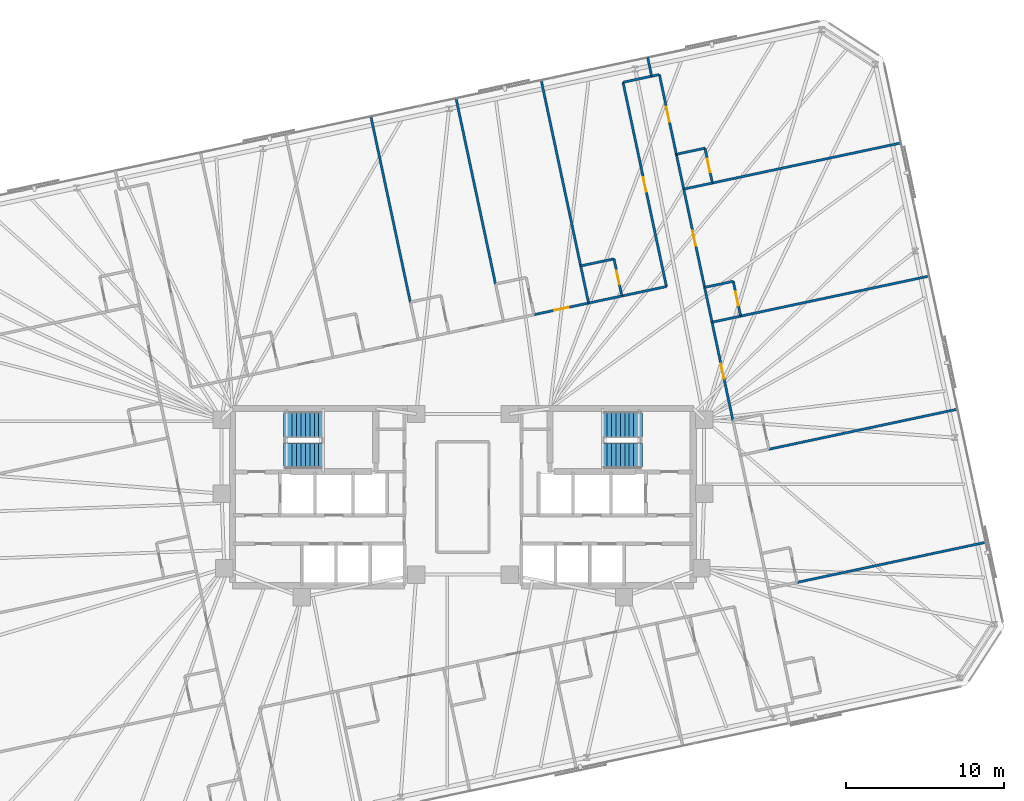
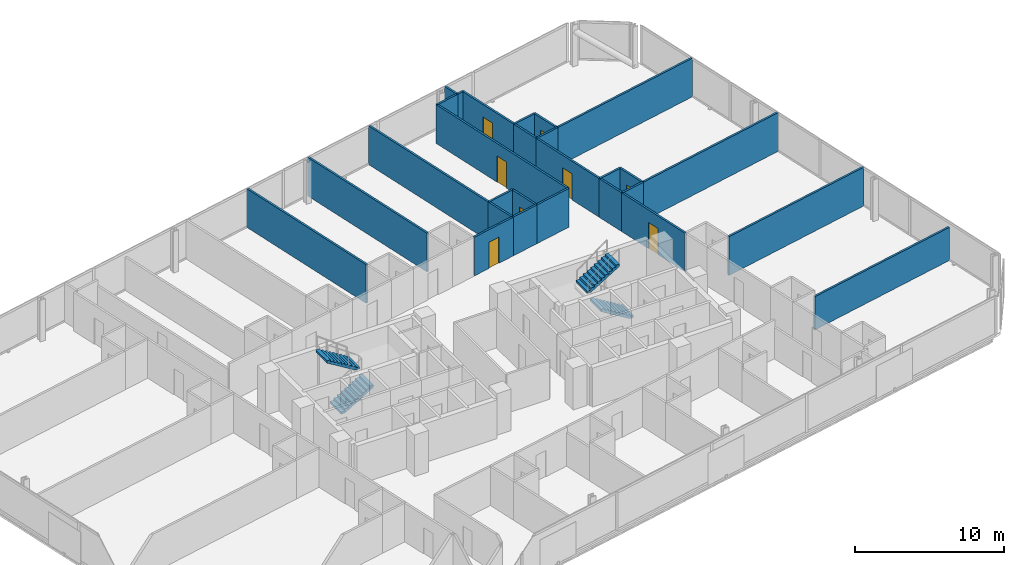
# One storey, part 18 of 20: 28 walls, 8 doors, 4 stair flights, 8 openings, 2 elements without a shape of their own.
"""IFC4 building model written with IfcOpenShell, lengths in metres."""

import ifcopenshell
import ifcopenshell.guid

model = None  # the IFC model being written
_history = None  # IfcOwnerHistory: only IFC2X3 demands one
_inside = {}  # id of a spatial element -> (the spatial element, [elements in it])
_under = {}  # id of a project, library or spatial element -> (it, [spatial elements below it])
_declared = {}  # id of a project -> (the project, [libraries it declares])
_typed = {}  # id of a type object -> (the type object, [elements of that type])
_made_of = {}  # id of a material, layer set ... -> (it, [elements and type objects made of it])


def new_model(schema):
    """Start an empty IFC model of exactly this schema.

    Asked for "IFC4X3", IfcOpenShell would pick the latest addendum, in which some entities
    have other attributes; the version numbers below select the first issue.
    IFC2X3 requires an IfcOwnerHistory on every rooted entity: one is made here for all.
    """
    global model, _history
    if schema == "IFC4X3":
        model = ifcopenshell.file(schema_version=(4, 3, 0, 0))
    else:
        model = ifcopenshell.file(schema=schema)
    _inside.clear()
    _under.clear()
    _declared.clear()
    _typed.clear()
    _made_of.clear()
    _history = None
    if model.schema == "IFC2X3":
        org = make("IfcOrganization", Name="unknown")
        user = make(
            "IfcPersonAndOrganization",
            ThePerson=make("IfcPerson", FamilyName="unknown"),
            TheOrganization=org,
        )
        app = make(
            "IfcApplication",
            ApplicationDeveloper=org,
            Version="unknown",
            ApplicationFullName="unknown",
            ApplicationIdentifier="unknown",
        )
        _history = make(
            "IfcOwnerHistory",
            OwningUser=user,
            OwningApplication=app,
            ChangeAction="ADDED",
            CreationDate=0,
        )
    return model


def make(cls, **values):
    """One entity of the class cls with the attributes given. An attribute that is None is left unset."""
    return model.create_entity(
        cls, **{name: value for name, value in values.items() if value is not None}
    )


def rooted(cls, **values):
    """An entity with a GlobalId (a new one), such as an element, a storey or a relation."""
    return make(cls, GlobalId=ifcopenshell.guid.new(), OwnerHistory=_history, **values)


def si_unit(unit_type, name, prefix=None):
    """IfcSIUnit, for example si_unit("LENGTHUNIT", "METRE", prefix="MILLI")."""
    return make("IfcSIUnit", UnitType=unit_type, Prefix=prefix, Name=name)


def assignment(units):
    """IfcUnitAssignment: the units of a project."""
    return None if units is None else make("IfcUnitAssignment", Units=units)


def point(xyz):
    """IfcCartesianPoint."""
    return None if xyz is None else make("IfcCartesianPoint", Coordinates=xyz)


def direction(xyz):
    """IfcDirection."""
    return None if xyz is None else make("IfcDirection", DirectionRatios=xyz)


def frame(location, z_axis=None, x_axis=None):
    """IfcAxis2Placement3D, a coordinate frame: its origin and axes. An axis left out is left unset."""
    return make(
        "IfcAxis2Placement3D",
        Location=point(location),
        Axis=direction(z_axis),
        RefDirection=direction(x_axis),
    )


def frame_2d(location, x_axis=None):
    """IfcAxis2Placement2D, a coordinate frame in the plane: its origin and x axis."""
    return make(
        "IfcAxis2Placement2D", Location=point(location), RefDirection=direction(x_axis)
    )


def origin():
    """The frame at (0, 0, 0) with its axes left unset."""
    return frame((0.0, 0.0, 0.0))


def place(relative_to, where):
    """IfcLocalPlacement: puts the frame where relative to a parent placement (None: the world)."""
    return make(
        "IfcLocalPlacement", PlacementRelTo=relative_to, RelativePlacement=where
    )


def context(
    kind, dimensions, precision=None, world=None, true_north=None, identifier=None
):
    """IfcGeometricRepresentationContext, for example the 3D "Model" context."""
    return make(
        "IfcGeometricRepresentationContext",
        ContextIdentifier=identifier,
        ContextType=kind,
        CoordinateSpaceDimension=dimensions,
        Precision=precision,
        WorldCoordinateSystem=world,
        TrueNorth=true_north,
    )


def subcontext(parent, identifier, kind, view, scale=None):
    """IfcGeometricRepresentationSubContext, for example "Body" below "Model"."""
    return make(
        "IfcGeometricRepresentationSubContext",
        ContextIdentifier=identifier,
        ContextType=kind,
        ParentContext=parent,
        TargetScale=scale,
        TargetView=view,
    )


def project(units=None, contexts=None):
    """IfcProject with its units and contexts."""
    return rooted(
        "IfcProject",
        Name="project",
        RepresentationContexts=contexts,
        UnitsInContext=assignment(units),
    )


def spatial(cls, under=None, at=None, **own):
    """A site, building, storey or space (cls), placed at a placement, below another one or the project."""
    s = rooted(cls, ObjectPlacement=at, **own)
    if under is not None:
        _under.setdefault(under.id(), (under, []))[1].append(s)
    return s


def polyline(points):
    """IfcPolyline through the points."""
    return make("IfcPolyline", Points=[point(p) for p in points])


def profile(cls, at=None, kind="AREA", **sizes):
    """A parametric profile (cls). Its sizes go by their IFC names, for example OverallWidth=200.0."""
    return make(cls, ProfileType=kind, Position=at, **sizes)


def rectangle(**sizes):
    """IfcRectangleProfileDef."""
    return profile("IfcRectangleProfileDef", **sizes)


def outline(outer, holes=None, kind="AREA"):
    """IfcArbitraryClosedProfileDef: a profile drawn as a closed curve; with holes, ...WithVoids."""
    if holes is None:
        return make("IfcArbitraryClosedProfileDef", ProfileType=kind, OuterCurve=outer)
    return make(
        "IfcArbitraryProfileDefWithVoids",
        ProfileType=kind,
        OuterCurve=outer,
        InnerCurves=holes,
    )


def extrude(swept, where, along, depth):
    """IfcExtrudedAreaSolid: the profile swept, set in the frame where, extruded along a direction by depth."""
    return make(
        "IfcExtrudedAreaSolid",
        SweptArea=swept,
        Position=where,
        ExtrudedDirection=direction(along),
        Depth=depth,
    )


def shape(context_of_items, identifier, shape_type, items):
    """IfcShapeRepresentation: the items that make up one representation, for example the "Body"."""
    return make(
        "IfcShapeRepresentation",
        ContextOfItems=context_of_items,
        RepresentationIdentifier=identifier,
        RepresentationType=shape_type,
        Items=items,
    )


def material(Name=None, Category=None):
    """IfcMaterial."""
    return make("IfcMaterial", Name=Name, Category=Category)


def layer(
    of_material, thickness, ventilated=None, Name=None, Category=None, Priority=None
):
    """IfcMaterialLayer: one layer of a wall or slab, of a material (None: an air gap)."""
    return make(
        "IfcMaterialLayer",
        Material=of_material,
        LayerThickness=thickness,
        IsVentilated=ventilated,
        Name=Name,
        Category=Category,
        Priority=Priority,
    )


def layer_set(layers, Name=None):
    """IfcMaterialLayerSet."""
    return make("IfcMaterialLayerSet", MaterialLayers=layers, LayerSetName=Name)


def made_of(thing, what):
    """Note that an element or type object is made of a material, layer set ...; save() writes the relation."""
    if what is not None:
        _made_of.setdefault(what.id(), (what, []))[1].append(thing)
    return thing


def type_object(cls, material=None, **own):
    """A type object (cls), such as IfcWallType, which elements share."""
    return made_of(rooted(cls, **own), material)


def element(
    cls,
    number,
    at=None,
    inside=None,
    cuts=None,
    type_object=None,
    material=None,
    context=None,
    identifier="Body",
    shape_type=None,
    held_by="IfcProductDefinitionShape",
    body=None,
    shapes=None,
    **own,
):
    """One element of the class cls, such as IfcWall. Its Tag is "e" and its number.

    at: its placement. inside: the storey or other place that contains it. cuts: it is an
    opening in that element (IfcRelVoidsElement). A single representation is given by context,
    identifier, shape_type and body (its items); several are given by shapes. held_by: the class
    of the entity that holds the representations. save() writes the other relations.
    """
    e = rooted(cls, Tag="e%d" % number, ObjectPlacement=at, **own)
    if body is not None:
        shapes = [shape(context, identifier, shape_type, body)]
    if shapes is not None:
        e.Representation = make(held_by, Representations=shapes)
    if inside is not None:
        _inside.setdefault(inside.id(), (inside, []))[1].append(e)
    if cuts is not None:
        rooted(
            "IfcRelVoidsElement", RelatingBuildingElement=cuts, RelatedOpeningElement=e
        )
    if type_object is not None:
        _typed.setdefault(type_object.id(), (type_object, []))[1].append(e)
    return made_of(e, material)


def fill(opening, filler):
    """IfcRelFillsElement: the door or window that sits in an opening."""
    return rooted(
        "IfcRelFillsElement",
        RelatingOpeningElement=opening,
        RelatedBuildingElement=filler,
    )


def aggregate(whole, parts):
    """IfcRelAggregates: a whole, such as a stair, and the parts it consists of."""
    return rooted("IfcRelAggregates", RelatingObject=whole, RelatedObjects=parts)


def save(model, path):
    """Write the relations noted so far, then the file.

    IfcRelAggregates (storeys below a building ...), IfcRelContainedInSpatialStructure (elements
    in a storey), IfcRelDefinesByType, IfcRelAssociatesMaterial and IfcRelDeclares: one each for
    every whole, place, type object, material and project.
    """
    for whole, parts in _under.values():
        aggregate(whole, parts)
    for where, things in _inside.values():
        rooted(
            "IfcRelContainedInSpatialStructure",
            RelatedElements=things,
            RelatingStructure=where,
        )
    for kind, things in _typed.values():
        rooted("IfcRelDefinesByType", RelatedObjects=things, RelatingType=kind)
    for what, things in _made_of.values():
        rooted("IfcRelAssociatesMaterial", RelatedObjects=things, RelatingMaterial=what)
    for by, libraries in _declared.values():
        rooted("IfcRelDeclares", RelatingContext=by, RelatedDefinitions=libraries)
    model.write(path)


model = new_model("IFC4")

# Units and contexts
model_context = context("Model", 3, precision=1e-05, world=origin(), true_north=direction((0.0, 1.0)))
body_context = subcontext(model_context, "Body", "Model", "MODEL_VIEW")
ifc_project = project(units=[si_unit("LENGTHUNIT", "METRE"), si_unit("AREAUNIT", "SQUARE_METRE"), si_unit("VOLUMEUNIT", "CUBIC_METRE"), si_unit("PLANEANGLEUNIT", "RADIAN"), si_unit("MASSUNIT", "GRAM", prefix="KILO")], contexts=[model_context])

# Site, building, storey
site_placement = place(None, origin())
site = spatial("IfcSite", under=ifc_project, at=site_placement, CompositionType="ELEMENT")
building_placement = place(site_placement, origin())
building = spatial("IfcBuilding", under=site, at=building_placement, Name="Menara Jurai Vektor", CompositionType="ELEMENT")
storey_placement = place(building_placement, frame((0.0, 0.0, 158.199951171875)))
storey = spatial("IfcBuildingStorey", under=building, at=storey_placement, Name="L40", CompositionType="ELEMENT", Elevation=158.199951171875)

# Wall, opening, door
ifc_material_1 = material(Name="Gypsum Fireboard Partition", Category="gypsum")
ifc_layer_1 = layer(ifc_material_1, 0.14990234375)
ifc_layer_set_1 = layer_set([ifc_layer_1], Name="Gypsum Fireboard Partition")
wall_type_1 = type_object("IfcWallType", Name="INT-WALL-CORR-150", PredefinedType="PARTITIONING", material=ifc_layer_set_1)
wall_1_placement = place(storey_placement, frame((4.497802734375, 11.52978515625, 0.0), z_axis=(0.0, 0.0, 1.0), x_axis=(0.978135941404, 0.207966536089, 0.0)))
wall_1 = element("IfcWall", 1, at=wall_1_placement, inside=storey, type_object=wall_type_1, Name="Interior Wall IW-150 L40", PredefinedType="PARTITIONING", context=body_context, shape_type="SweptSolid", body=[
    extrude(rectangle(XDim=3.521728515625, YDim=0.14990234375, at=frame_2d((1.7607421875, 0.0))), origin(), (0.0, 0.0, 1.0), 3.175048828125),
])
opening_1_placement = place(wall_1_placement, frame((1.301025390625, 0.0, 0.0)))
opening_1 = element("IfcOpeningElement", 2, at=opening_1_placement, cuts=wall_1, Name="Opening D40-14", PredefinedType="OPENING", context=body_context, shape_type="SweptSolid", body=[
    extrude(rectangle(XDim=0.919921875, YDim=2.14990234375, at=frame_2d((0.4599609375, 1.074951171875))), frame((0.0, 0.0849609375, 0.0), z_axis=(0.0, -1.0, 0.0), x_axis=(1.0, 0.0, 0.0)), (0.0, 0.0, 1.0), 0.169921875),
])
ifc_material_2 = material(Name="Solid Core Timber Fire Door", Category="wood")
door_type_1 = type_object("IfcDoorType", Name="DR-ENTRY-950", OperationType="NOTDEFINED", PredefinedType="DOOR", material=ifc_material_2)
door_1_placement = place(opening_1_placement, origin())
door_1 = element("IfcDoor", 3, at=door_1_placement, inside=storey, type_object=door_type_1, Name="Interior Door D40-14", OperationType="SINGLE_SWING_LEFT", OverallHeight=2.14990234375, OverallWidth=0.919921875, PredefinedType="DOOR", context=body_context, shape_type="SweptSolid", body=[
    extrude(rectangle(XDim=0.919921875, YDim=2.14990234375, at=frame_2d((0.4599609375, 1.074951171875))), frame((0.0, 0.02490234375, 0.0), z_axis=(0.0, -1.0, 0.0), x_axis=(1.0, 0.0, 0.0)), (0.0, 0.0, 1.0), 0.050048828125),
])
fill(opening_1, door_1)

# Wall
wall_2_placement = place(storey_placement, frame((10.045654296875, 12.709228515625, 0.0), z_axis=(0.0, 0.0, 1.0), x_axis=(0.97816208355, 0.207843542851, 0.0)))
element("IfcWall", 4, at=wall_2_placement, inside=storey, type_object=wall_type_1, Name="Interior Wall IW-150 L40", PredefinedType="PARTITIONING", context=body_context, shape_type="SweptSolid", body=[
    extrude(rectangle(XDim=2.879150390625, YDim=0.14990234375, at=frame_2d((1.439453125, 0.0))), origin(), (0.0, 0.0, 1.0), 3.175048828125),
])

# Wall, opening, door
wall_3_placement = place(storey_placement, frame((12.86181640625, 13.3076171875, 0.0), z_axis=(0.0, 0.0, 1.0), x_axis=(-0.207911421929, 0.978147657888, 0.0)))
wall_3 = element("IfcWall", 5, at=wall_3_placement, inside=storey, type_object=wall_type_1, Name="Interior Wall IW-150 L40", PredefinedType="PARTITIONING", context=body_context, shape_type="SweptSolid", body=[
    extrude(rectangle(XDim=13.195068359375, YDim=0.14990234375, at=frame_2d((6.59765625, 0.0))), origin(), (0.0, 0.0, 1.0), 3.175048828125),
])
opening_2_placement = place(wall_3_placement, frame((6.137451171875, 0.0, 0.0)))
opening_2 = element("IfcOpeningElement", 6, at=opening_2_placement, cuts=wall_3, Name="Opening D40-16", PredefinedType="OPENING", context=body_context, shape_type="SweptSolid", body=[
    extrude(rectangle(XDim=0.919921875, YDim=2.14990234375, at=frame_2d((0.4599609375, 1.074951171875))), frame((0.0, 0.0849609375, 0.0), z_axis=(0.0, -1.0, 0.0), x_axis=(1.0, 0.0, 0.0)), (0.0, 0.0, 1.0), 0.169921875),
])
door_2_placement = place(opening_2_placement, origin())
door_2 = element("IfcDoor", 7, at=door_2_placement, inside=storey, type_object=door_type_1, Name="Interior Door D40-16", OperationType="SINGLE_SWING_LEFT", OverallHeight=2.14990234375, OverallWidth=0.919921875, PredefinedType="DOOR", context=body_context, shape_type="SweptSolid", body=[
    extrude(rectangle(XDim=0.919921875, YDim=2.14990234375, at=frame_2d((0.4599609375, 1.074951171875))), frame((0.0, 0.02490234375, 0.0), z_axis=(0.0, -1.0, 0.0), x_axis=(1.0, 0.0, 0.0)), (0.0, 0.0, 1.0), 0.050048828125),
])
fill(opening_2, door_2)

# Walls
wall_4_placement = place(storey_placement, frame((10.118408203125, 26.21435546875, 0.0), z_axis=(0.0, 0.0, 1.0), x_axis=(0.978133353907, 0.20797870558, 0.0)))
element("IfcWall", 8, at=wall_4_placement, inside=storey, type_object=wall_type_1, Name="Interior Wall IW-150 L40", PredefinedType="PARTITIONING", context=body_context, shape_type="SweptSolid", body=[
    extrude(rectangle(XDim=1.85009765625, YDim=0.14990234375, at=frame_2d((0.925048828125, 0.0))), origin(), (0.0, 0.0, 1.0), 3.175048828125),
])
wall_5_placement = place(storey_placement, frame((7.942626953125, 12.26220703125, 0.0), z_axis=(0.0, 0.0, 1.0), x_axis=(0.978146728319, 0.207915795165, 0.0)))
element("IfcWall", 9, at=wall_5_placement, inside=storey, type_object=wall_type_1, Name="Interior Wall IW-150 L40", PredefinedType="PARTITIONING", context=body_context, shape_type="SweptSolid", body=[
    extrude(rectangle(XDim=2.14990234375, YDim=0.14990234375, at=frame_2d((1.074951171875, 0.0))), origin(), (0.0, 0.0, 1.0), 3.175048828125),
])

# Wall, opening, door
wall_6_placement = place(storey_placement, frame((17.06396484375, 4.84130859375, 0.0), z_axis=(0.0, 0.0, 1.0), x_axis=(-0.207924511115, 0.978144875608, 0.0)))
wall_6 = element("IfcWall", 10, at=wall_6_placement, inside=storey, type_object=wall_type_1, Name="Interior Wall IW-150 L40", PredefinedType="PARTITIONING", context=body_context, shape_type="SweptSolid", body=[
    extrude(rectangle(XDim=6.349853515625, YDim=0.14990234375, at=frame_2d((3.1748046875, 0.0))), origin(), (0.0, 0.0, 1.0), 3.175048828125),
])
opening_3_placement = place(wall_6_placement, frame((2.699951171875, 0.0, 0.0)))
opening_3 = element("IfcOpeningElement", 11, at=opening_3_placement, cuts=wall_6, Name="Opening D40-41", PredefinedType="OPENING", context=body_context, shape_type="SweptSolid", body=[
    extrude(rectangle(XDim=0.949951171875, YDim=2.14990234375, at=frame_2d((0.47509765625, 1.074951171875))), frame((0.0, 0.0849609375, 0.0), z_axis=(0.0, -1.0, 0.0), x_axis=(1.0, 0.0, 0.0)), (0.0, 0.0, 1.0), 0.169921875),
])
door_3_placement = place(opening_3_placement, origin())
door_3 = element("IfcDoor", 12, at=door_3_placement, inside=storey, type_object=door_type_1, Name="Interior Door D40-41", OperationType="SINGLE_SWING_RIGHT", OverallHeight=2.14990234375, OverallWidth=0.949951171875, PredefinedType="DOOR", context=body_context, shape_type="SweptSolid", body=[
    extrude(rectangle(XDim=0.949951171875, YDim=2.14990234375, at=frame_2d((0.47509765625, 1.074951171875))), frame((0.0, 0.02490234375, 0.0), z_axis=(0.0, -1.0, 0.0), x_axis=(1.0, 0.0, 0.0)), (0.0, 0.0, 1.0), 0.050048828125),
])
fill(opening_3, door_3)

wall_7_placement = place(storey_placement, frame((15.27587890625, 13.25341796875, 0.0), z_axis=(0.0, 0.0, 1.0), x_axis=(-0.207924511115, 0.978144875608, 0.0)))
wall_7 = element("IfcWall", 13, at=wall_7_placement, inside=storey, type_object=wall_type_1, Name="Interior Wall IW-150 L40", PredefinedType="PARTITIONING", context=body_context, shape_type="SweptSolid", body=[
    extrude(rectangle(XDim=6.349853515625, YDim=0.14990234375, at=frame_2d((3.1748046875, 0.0))), origin(), (0.0, 0.0, 1.0), 3.175048828125),
])
opening_4_placement = place(wall_7_placement, frame((2.699951171875, 0.0, 0.0)))
opening_4 = element("IfcOpeningElement", 14, at=opening_4_placement, cuts=wall_7, Name="Opening D40-43", PredefinedType="OPENING", context=body_context, shape_type="SweptSolid", body=[
    extrude(rectangle(XDim=0.949951171875, YDim=2.14990234375, at=frame_2d((0.47509765625, 1.074951171875))), frame((0.0, 0.0849609375, 0.0), z_axis=(0.0, -1.0, 0.0), x_axis=(1.0, 0.0, 0.0)), (0.0, 0.0, 1.0), 0.169921875),
])
door_4_placement = place(opening_4_placement, origin())
door_4 = element("IfcDoor", 15, at=door_4_placement, inside=storey, type_object=door_type_1, Name="Interior Door D40-43", OperationType="SINGLE_SWING_RIGHT", OverallHeight=2.14990234375, OverallWidth=0.949951171875, PredefinedType="DOOR", context=body_context, shape_type="SweptSolid", body=[
    extrude(rectangle(XDim=0.949951171875, YDim=2.14990234375, at=frame_2d((0.47509765625, 1.074951171875))), frame((0.0, 0.02490234375, 0.0), z_axis=(0.0, -1.0, 0.0), x_axis=(1.0, 0.0, 0.0)), (0.0, 0.0, 1.0), 0.050048828125),
])
fill(opening_4, door_4)

# Walls
wall_8_placement = place(storey_placement, frame((15.74365234375, 11.052490234375, 0.0), z_axis=(0.0, 0.0, 1.0), x_axis=(-0.207891197838, 0.978151956427, 0.0)))
element("IfcWall", 16, at=wall_8_placement, inside=storey, type_object=wall_type_1, Name="Interior Wall IW-150 L40", PredefinedType="PARTITIONING", context=body_context, shape_type="SweptSolid", body=[
    extrude(rectangle(XDim=2.25, YDim=0.14990234375, at=frame_2d((1.125, 0.0))), origin(), (0.0, 0.0, 1.0), 3.175048828125),
])
wall_9_placement = place(storey_placement, frame((11.927978515625, 26.59912109375, 0.0), z_axis=(0.0, 0.0, 1.0), x_axis=(0.97822210712, 0.207560856478, 0.0)))
element("IfcWall", 17, at=wall_9_placement, inside=storey, type_object=wall_type_1, Name="Interior Wall IW-150 L40", PredefinedType="PARTITIONING", context=body_context, shape_type="SweptSolid", body=[
    extrude(rectangle(XDim=0.5, YDim=0.14990234375, at=frame_2d((0.25, 0.0))), origin(), (0.0, 0.0, 1.0), 3.175048828125),
])

# Wall, opening, door
wall_10_placement = place(storey_placement, frame((13.48779296875, 21.66552734375, 0.0), z_axis=(0.0, 0.0, 1.0), x_axis=(-0.207926226209, 0.978144511028, 0.0)))
wall_10 = element("IfcWall", 18, at=wall_10_placement, inside=storey, type_object=wall_type_1, Name="Interior Wall IW-150 L40", PredefinedType="PARTITIONING", context=body_context, shape_type="SweptSolid", body=[
    extrude(rectangle(XDim=5.14990234375, YDim=0.14990234375, at=frame_2d((2.574951171875, 0.0))), origin(), (0.0, 0.0, 1.0), 3.175048828125),
])
opening_5_placement = place(wall_10_placement, frame((2.10009765625, 0.0, 0.0)))
opening_5 = element("IfcOpeningElement", 19, at=opening_5_placement, cuts=wall_10, Name="Opening D40-45", PredefinedType="OPENING", context=body_context, shape_type="SweptSolid", body=[
    extrude(rectangle(XDim=0.949951171875, YDim=2.14990234375, at=frame_2d((0.47509765625, 1.074951171875))), frame((0.0, 0.0849609375, 0.0), z_axis=(0.0, -1.0, 0.0), x_axis=(1.0, 0.0, 0.0)), (0.0, 0.0, 1.0), 0.169921875),
])
door_5_placement = place(opening_5_placement, origin())
door_5 = element("IfcDoor", 20, at=door_5_placement, inside=storey, type_object=door_type_1, Name="Interior Door D40-45", OperationType="SINGLE_SWING_RIGHT", OverallHeight=2.14990234375, OverallWidth=0.949951171875, PredefinedType="DOOR", context=body_context, shape_type="SweptSolid", body=[
    extrude(rectangle(XDim=0.949951171875, YDim=2.14990234375, at=frame_2d((0.47509765625, 1.074951171875))), frame((0.0, 0.02490234375, 0.0), z_axis=(0.0, -1.0, 0.0), x_axis=(1.0, 0.0, 0.0)), (0.0, 0.0, 1.0), 0.050048828125),
])
fill(opening_5, door_5)

# Walls
wall_11_placement = place(storey_placement, frame((13.95556640625, 19.464599609375, 0.0), z_axis=(0.0, 0.0, 1.0), x_axis=(-0.207891197838, 0.978151956427, 0.0)))
element("IfcWall", 21, at=wall_11_placement, inside=storey, type_object=wall_type_1, Name="Interior Wall IW-150 L40", PredefinedType="PARTITIONING", context=body_context, shape_type="SweptSolid", body=[
    extrude(rectangle(XDim=2.25, YDim=0.14990234375, at=frame_2d((1.125, 0.0))), origin(), (0.0, 0.0, 1.0), 3.175048828125),
])
for number, where, z_axis, x_axis, name in (
    (22, (-3.32177734375, 12.3212890625, 0.0), (0.0, 0.0, 1.0), (-0.207910848762, 0.978147779718, 0.0), "Interior Wall IW-150 L40"),
    (23, (2.06103515625, 13.465576171875, 0.0), (0.0, 0.0, 1.0), (-0.207910848762, 0.978147779718, 0.0), "Interior Wall IW-150 L40"),
    (24, (7.443603515625, 14.609619140625, 0.0), (0.0, 0.0, 1.0), (-0.207910848762, 0.978147779718, 0.0), "Interior Wall IW-150 L40"),
):
    element("IfcWall", number, at=place(storey_placement, frame(where, z_axis=z_axis, x_axis=x_axis)), inside=storey, type_object=wall_type_1, Name=name, PredefinedType="PARTITIONING", context=body_context, shape_type="SweptSolid", body=[
        extrude(rectangle(XDim=11.9951171875, YDim=0.14990234375, at=frame_2d((5.99755859375, 0.0))), origin(), (0.0, 0.0, 1.0), 3.175048828125),
    ])
wall_12_placement = place(storey_placement, frame((7.942626953125, 12.26220703125, 0.0), z_axis=(0.0, 0.0, 1.0), x_axis=(-0.207937840262, 0.978142042133, 0.0)))
element("IfcWall", 25, at=wall_12_placement, inside=storey, type_object=wall_type_1, Name="Interior Wall IW-150 L40", PredefinedType="PARTITIONING", context=body_context, shape_type="SweptSolid", body=[
    extrude(rectangle(XDim=2.39990234375, YDim=0.14990234375, at=frame_2d((1.199951171875, 0.0))), origin(), (0.0, 0.0, 1.0), 3.175048828125),
])
wall_13_placement = place(storey_placement, frame((7.443603515625, 14.609619140625, 0.0), z_axis=(0.0, 0.0, 1.0), x_axis=(0.978151636287, 0.207892704126, 0.0)))
element("IfcWall", 26, at=wall_13_placement, inside=storey, type_object=wall_type_1, Name="Interior Wall IW-150 L40", PredefinedType="PARTITIONING", context=body_context, shape_type="SweptSolid", body=[
    extrude(rectangle(XDim=2.150146484375, YDim=0.14990234375, at=frame_2d((1.0751953125, 0.0))), origin(), (0.0, 0.0, 1.0), 3.175048828125),
])

# Wall, opening, door
wall_14_placement = place(storey_placement, frame((10.045654296875, 12.709228515625, 0.0), z_axis=(0.0, 0.0, 1.0), x_axis=(-0.207840504985, 0.978162729042, 0.0)))
wall_14 = element("IfcWall", 27, at=wall_14_placement, inside=storey, type_object=wall_type_1, Name="Interior Wall IW-150 L40", PredefinedType="PARTITIONING", context=body_context, shape_type="SweptSolid", body=[
    extrude(rectangle(XDim=2.39990234375, YDim=0.14990234375, at=frame_2d((1.199951171875, 0.0))), origin(), (0.0, 0.0, 1.0), 3.175048828125),
])
opening_6_placement = place(wall_14_placement, frame((0.760009765625, 0.0, 0.0)))
opening_6 = element("IfcOpeningElement", 28, at=opening_6_placement, cuts=wall_14, Name="Opening D40-17", PredefinedType="OPENING", context=body_context, shape_type="SweptSolid", body=[
    extrude(rectangle(XDim=0.8798828125, YDim=2.14990234375, at=frame_2d((0.43994140625, 1.074951171875))), frame((0.0, 0.0849609375, 0.0), z_axis=(0.0, -1.0, 0.0), x_axis=(1.0, 0.0, 0.0)), (0.0, 0.0, 1.0), 0.169921875),
])
ifc_material_3 = material(Name="Moisture-Resistant Timber Door", Category="wood")
door_type_2 = type_object("IfcDoorType", Name="DR-BATH-880", OperationType="NOTDEFINED", PredefinedType="DOOR", material=ifc_material_3)
door_6_placement = place(opening_6_placement, origin())
door_6 = element("IfcDoor", 29, at=door_6_placement, inside=storey, type_object=door_type_2, Name="Interior Door D40-17", OperationType="SINGLE_SWING_RIGHT", OverallHeight=2.14990234375, OverallWidth=0.8798828125, PredefinedType="DOOR", context=body_context, shape_type="SweptSolid", body=[
    extrude(rectangle(XDim=0.8798828125, YDim=2.14990234375, at=frame_2d((0.43994140625, 1.074951171875))), frame((0.0, 0.02490234375, 0.0), z_axis=(0.0, -1.0, 0.0), x_axis=(1.0, 0.0, 0.0)), (0.0, 0.0, 1.0), 0.050048828125),
])
fill(opening_6, door_6)

# Walls
wall_15_placement = place(storey_placement, frame((11.927978515625, 26.59912109375, 0.0), z_axis=(0.0, 0.0, 1.0), x_axis=(-0.20795853359, 0.978137642823, 0.0)))
element("IfcWall", 30, at=wall_15_placement, inside=storey, type_object=wall_type_1, Name="Interior Wall IW-150 L40", PredefinedType="PARTITIONING", context=body_context, shape_type="SweptSolid", body=[
    extrude(rectangle(XDim=1.19970703125, YDim=0.14990234375, at=frame_2d((0.599853515625, 0.0))), origin(), (0.0, 0.0, 1.0), 3.175048828125),
])
for number, where, z_axis, x_axis, name in (
    (31, (19.34130859375, 3.025146484375, 0.0), (0.0, 0.0, 1.0), (0.97814556055, 0.207921288896, 0.0), "Interior Wall IW-150 L40"),
    (32, (17.55322265625, 11.437255859375, 0.0), (0.0, 0.0, 1.0), (0.97814556055, 0.207921288896, 0.0), "Interior Wall IW-150 L40"),
):
    element("IfcWall", number, at=place(storey_placement, frame(where, z_axis=z_axis, x_axis=x_axis)), inside=storey, type_object=wall_type_1, Name=name, PredefinedType="PARTITIONING", context=body_context, shape_type="SweptSolid", body=[
        extrude(rectangle(XDim=12.18701171875, YDim=0.14990234375, at=frame_2d((6.093505859375, 0.0))), origin(), (0.0, 0.0, 1.0), 3.175048828125),
    ])
for number, where, z_axis, x_axis, name in (
    (33, (15.74365234375, 11.052490234375, 0.0), (0.0, 0.0, 1.0), (0.978133353907, 0.20797870558, 0.0), "Interior Wall IW-150 L40"),
    (34, (15.27587890625, 13.25341796875, 0.0), (0.0, 0.0, 1.0), (0.978133353907, 0.20797870558, 0.0), "Interior Wall IW-150 L40"),
):
    element("IfcWall", number, at=place(storey_placement, frame(where, z_axis=z_axis, x_axis=x_axis)), inside=storey, type_object=wall_type_1, Name=name, PredefinedType="PARTITIONING", context=body_context, shape_type="SweptSolid", body=[
        extrude(rectangle(XDim=1.85009765625, YDim=0.14990234375, at=frame_2d((0.925048828125, 0.0))), origin(), (0.0, 0.0, 1.0), 3.175048828125),
    ])

# Wall, opening, door
wall_16_placement = place(storey_placement, frame((17.55322265625, 11.437255859375, 0.0), z_axis=(0.0, 0.0, 1.0), x_axis=(-0.207891197838, 0.978151956427, 0.0)))
wall_16 = element("IfcWall", 35, at=wall_16_placement, inside=storey, type_object=wall_type_1, Name="Interior Wall IW-150 L40", PredefinedType="PARTITIONING", context=body_context, shape_type="SweptSolid", body=[
    extrude(rectangle(XDim=2.25, YDim=0.14990234375, at=frame_2d((1.125, 0.0))), origin(), (0.0, 0.0, 1.0), 3.175048828125),
])
opening_7_placement = place(wall_16_placement, frame((0.68505859375, 0.0, 0.0)))
opening_7 = element("IfcOpeningElement", 36, at=opening_7_placement, cuts=wall_16, Name="Opening D40-44", PredefinedType="OPENING", context=body_context, shape_type="SweptSolid", body=[
    extrude(rectangle(XDim=0.8798828125, YDim=2.14990234375, at=frame_2d((0.43994140625, 1.074951171875))), frame((0.0, 0.0849609375, 0.0), z_axis=(0.0, -1.0, 0.0), x_axis=(1.0, 0.0, 0.0)), (0.0, 0.0, 1.0), 0.169921875),
])
door_7_placement = place(opening_7_placement, origin())
door_7 = element("IfcDoor", 37, at=door_7_placement, inside=storey, type_object=door_type_2, Name="Interior Door D40-44", OperationType="SINGLE_SWING_LEFT", OverallHeight=2.14990234375, OverallWidth=0.8798828125, PredefinedType="DOOR", context=body_context, shape_type="SweptSolid", body=[
    extrude(rectangle(XDim=0.8798828125, YDim=2.14990234375, at=frame_2d((0.43994140625, 1.074951171875))), frame((0.0, 0.02490234375, 0.0), z_axis=(0.0, -1.0, 0.0), x_axis=(1.0, 0.0, 0.0)), (0.0, 0.0, 1.0), 0.050048828125),
])
fill(opening_7, door_7)

# Walls
wall_17_placement = place(storey_placement, frame((15.76513671875, 19.849365234375, 0.0), z_axis=(0.0, 0.0, 1.0), x_axis=(0.978149634612, 0.207902121941, 0.0)))
element("IfcWall", 38, at=wall_17_placement, inside=storey, type_object=wall_type_1, Name="Interior Wall IW-150 L40", PredefinedType="PARTITIONING", context=body_context, shape_type="SweptSolid", body=[
    extrude(rectangle(XDim=12.18701171875, YDim=0.14990234375, at=frame_2d((6.093505859375, 0.0))), origin(), (0.0, 0.0, 1.0), 3.175048828125),
])
for number, where, z_axis, x_axis, name in (
    (39, (13.95556640625, 19.464599609375, 0.0), (0.0, 0.0, 1.0), (0.978133353907, 0.20797870558, 0.0), "Interior Wall IW-150 L40"),
    (40, (13.48779296875, 21.66552734375, 0.0), (0.0, 0.0, 1.0), (0.978133353907, 0.20797870558, 0.0), "Interior Wall IW-150 L40"),
):
    element("IfcWall", number, at=place(storey_placement, frame(where, z_axis=z_axis, x_axis=x_axis)), inside=storey, type_object=wall_type_1, Name=name, PredefinedType="PARTITIONING", context=body_context, shape_type="SweptSolid", body=[
        extrude(rectangle(XDim=1.85009765625, YDim=0.14990234375, at=frame_2d((0.925048828125, 0.0))), origin(), (0.0, 0.0, 1.0), 3.175048828125),
    ])

# Wall, opening, door
wall_18_placement = place(storey_placement, frame((15.76513671875, 19.849365234375, 0.0), z_axis=(0.0, 0.0, 1.0), x_axis=(-0.207891197838, 0.978151956427, 0.0)))
wall_18 = element("IfcWall", 41, at=wall_18_placement, inside=storey, type_object=wall_type_1, Name="Interior Wall IW-150 L40", PredefinedType="PARTITIONING", context=body_context, shape_type="SweptSolid", body=[
    extrude(rectangle(XDim=2.25, YDim=0.14990234375, at=frame_2d((1.125, 0.0))), origin(), (0.0, 0.0, 1.0), 3.175048828125),
])
opening_8_placement = place(wall_18_placement, frame((0.68505859375, 0.0, 0.0)))
opening_8 = element("IfcOpeningElement", 42, at=opening_8_placement, cuts=wall_18, Name="Opening D40-46", PredefinedType="OPENING", context=body_context, shape_type="SweptSolid", body=[
    extrude(rectangle(XDim=0.8798828125, YDim=2.14990234375, at=frame_2d((0.43994140625, 1.074951171875))), frame((0.0, 0.0849609375, 0.0), z_axis=(0.0, -1.0, 0.0), x_axis=(1.0, 0.0, 0.0)), (0.0, 0.0, 1.0), 0.169921875),
])
door_8_placement = place(opening_8_placement, origin())
door_8 = element("IfcDoor", 43, at=door_8_placement, inside=storey, type_object=door_type_2, Name="Interior Door D40-46", OperationType="SINGLE_SWING_LEFT", OverallHeight=2.14990234375, OverallWidth=0.8798828125, PredefinedType="DOOR", context=body_context, shape_type="SweptSolid", body=[
    extrude(rectangle(XDim=0.8798828125, YDim=2.14990234375, at=frame_2d((0.43994140625, 1.074951171875))), frame((0.0, 0.02490234375, 0.0), z_axis=(0.0, -1.0, 0.0), x_axis=(1.0, 0.0, 0.0)), (0.0, 0.0, 1.0), 0.050048828125),
])
fill(opening_8, door_8)

# Wall
ifc_layer_2 = layer(ifc_material_1, 0.14990234375)
ifc_layer_set_2 = layer_set([ifc_layer_2], Name="Gypsum Fireboard Partition")
wall_type_2 = type_object("IfcWallType", Name="INT-WALL-CORR-150-H1", PredefinedType="PARTITIONING", material=ifc_layer_set_2)
wall_19_placement = place(storey_placement, frame((21.12939453125, -5.386962890625, 0.0), z_axis=(0.0, 0.0, 1.0), x_axis=(0.97814556055, 0.207921288896, 0.0)))
element("IfcWall", 44, at=wall_19_placement, inside=storey, type_object=wall_type_2, Name="Interior Wall IW-150 L40", PredefinedType="PARTITIONING", context=body_context, shape_type="SweptSolid", body=[
    extrude(rectangle(XDim=12.18701171875, YDim=0.14990234375, at=frame_2d((6.093505859375, 0.0))), origin(), (0.0, 0.0, 1.0), 2.72509765625),
])

# Stair, stair flights
ifc_material_4 = material(Name="Concrete C40/50", Category="concrete")
stair_type = type_object("IfcStairType", Name="STAIR-DOGLEG-1500", PredefinedType="HALF_TURN_STAIR", material=ifc_material_4)
stair_1_placement = place(storey_placement, origin())
stair_1 = element("IfcStair", 45, at=stair_1_placement, inside=storey, type_object=stair_type, Name="Protected Exit Stair ST1 L40", PredefinedType="HALF_TURN_STAIR")
stair_flight_type = type_object("IfcStairFlightType", Name="STAIR-FLIGHT-1500", PredefinedType="STRAIGHT", material=ifc_material_4)
stair_flight_1_placement = place(storey_placement, frame((-11.35009765625, 2.64990234375, 0.0), z_axis=(0.0, 0.0, 1.0), x_axis=(1.0, 0.0, 0.0)))
stair_flight_1 = element("IfcStairFlight", 46, at=stair_flight_1_placement, type_object=stair_flight_type, Name="ST1 flight 1", NumberOfRisers=10, NumberOfTreads=9, PredefinedType="STRAIGHT", RiserHeight=0.17, TreadLength=0.28, context=body_context, shape_type="SweptSolid", body=[
    extrude(outline(polyline([(0.0, 0.0), (0.0, 0.169921875), (0.280029296875, 0.169921875), (0.280029296875, 0.340087890625), (0.56005859375, 0.340087890625), (0.56005859375, 0.510009765625), (0.840087890625, 0.510009765625), (0.840087890625, 0.679931640625), (1.1201171875, 0.679931640625), (1.1201171875, 0.85009765625), (1.39990234375, 0.85009765625), (1.39990234375, 1.02001953125), (1.679931640625, 1.02001953125), (1.679931640625, 1.18994140625), (1.9599609375, 1.18994140625), (1.9599609375, 1.360107421875), (2.239990234375, 1.360107421875), (2.239990234375, 1.530029296875), (2.52001953125, 1.530029296875), (2.52001953125, 1.699951171875), (2.52001953125, 1.343017578125), (0.30810546875, 0.0), (0.0, 0.0)])), frame((0.0, 0.75, 0.0), z_axis=(0.0, -1.0, 0.0), x_axis=(1.0, 0.0, 0.0)), (0.0, 0.0, 1.0), 1.5),
])
stair_flight_2_placement = place(storey_placement, frame((-8.830078125, 4.550048828125, 1.699951171875), z_axis=(0.0, 0.0, 1.0), x_axis=(-1.0, 0.0, 0.0)))
stair_flight_2 = element("IfcStairFlight", 47, at=stair_flight_2_placement, type_object=stair_flight_type, Name="ST1 flight 2", NumberOfRisers=10, NumberOfTreads=9, PredefinedType="STRAIGHT", RiserHeight=0.17, TreadLength=0.28, context=body_context, shape_type="SweptSolid", body=[
    extrude(outline(polyline([(0.0, 0.0), (0.0, 0.169921875), (0.280029296875, 0.169921875), (0.280029296875, 0.340087890625), (0.56005859375, 0.340087890625), (0.56005859375, 0.510009765625), (0.840087890625, 0.510009765625), (0.840087890625, 0.679931640625), (1.1201171875, 0.679931640625), (1.1201171875, 0.85009765625), (1.39990234375, 0.85009765625), (1.39990234375, 1.02001953125), (1.679931640625, 1.02001953125), (1.679931640625, 1.18994140625), (1.9599609375, 1.18994140625), (1.9599609375, 1.360107421875), (2.239990234375, 1.360107421875), (2.239990234375, 1.530029296875), (2.52001953125, 1.530029296875), (2.52001953125, 1.699951171875), (2.52001953125, 1.343017578125), (0.30810546875, 0.0), (0.0, 0.0)])), frame((0.0, 0.75, 0.0), z_axis=(0.0, -1.0, 0.0), x_axis=(1.0, 0.0, 0.0)), (0.0, 0.0, 1.0), 1.5),
])
aggregate(stair_1, [stair_flight_1, stair_flight_2])

stair_2_placement = place(storey_placement, origin())
stair_2 = element("IfcStair", 48, at=stair_2_placement, inside=storey, type_object=stair_type, Name="Protected Exit Stair ST2 L40", PredefinedType="HALF_TURN_STAIR")
stair_flight_3_placement = place(storey_placement, frame((11.35009765625, 2.64990234375, 0.0), z_axis=(0.0, 0.0, 1.0), x_axis=(-1.0, 0.0, 0.0)))
stair_flight_3 = element("IfcStairFlight", 49, at=stair_flight_3_placement, type_object=stair_flight_type, Name="ST2 flight 1", NumberOfRisers=10, NumberOfTreads=9, PredefinedType="STRAIGHT", RiserHeight=0.17, TreadLength=0.28, context=body_context, shape_type="SweptSolid", body=[
    extrude(outline(polyline([(0.0, 0.0), (0.0, 0.169921875), (0.280029296875, 0.169921875), (0.280029296875, 0.340087890625), (0.56005859375, 0.340087890625), (0.56005859375, 0.510009765625), (0.840087890625, 0.510009765625), (0.840087890625, 0.679931640625), (1.1201171875, 0.679931640625), (1.1201171875, 0.85009765625), (1.39990234375, 0.85009765625), (1.39990234375, 1.02001953125), (1.679931640625, 1.02001953125), (1.679931640625, 1.18994140625), (1.9599609375, 1.18994140625), (1.9599609375, 1.360107421875), (2.239990234375, 1.360107421875), (2.239990234375, 1.530029296875), (2.52001953125, 1.530029296875), (2.52001953125, 1.699951171875), (2.52001953125, 1.343017578125), (0.30810546875, 0.0), (0.0, 0.0)])), frame((0.0, 0.75, 0.0), z_axis=(0.0, -1.0, 0.0), x_axis=(1.0, 0.0, 0.0)), (0.0, 0.0, 1.0), 1.5),
])
stair_flight_4_placement = place(storey_placement, frame((8.830078125, 4.550048828125, 1.699951171875), z_axis=(0.0, 0.0, 1.0), x_axis=(1.0, 0.0, 0.0)))
stair_flight_4 = element("IfcStairFlight", 50, at=stair_flight_4_placement, type_object=stair_flight_type, Name="ST2 flight 2", NumberOfRisers=10, NumberOfTreads=9, PredefinedType="STRAIGHT", RiserHeight=0.17, TreadLength=0.28, context=body_context, shape_type="SweptSolid", body=[
    extrude(outline(polyline([(0.0, 0.0), (0.0, 0.169921875), (0.280029296875, 0.169921875), (0.280029296875, 0.340087890625), (0.56005859375, 0.340087890625), (0.56005859375, 0.510009765625), (0.840087890625, 0.510009765625), (0.840087890625, 0.679931640625), (1.1201171875, 0.679931640625), (1.1201171875, 0.85009765625), (1.39990234375, 0.85009765625), (1.39990234375, 1.02001953125), (1.679931640625, 1.02001953125), (1.679931640625, 1.18994140625), (1.9599609375, 1.18994140625), (1.9599609375, 1.360107421875), (2.239990234375, 1.360107421875), (2.239990234375, 1.530029296875), (2.52001953125, 1.530029296875), (2.52001953125, 1.699951171875), (2.52001953125, 1.343017578125), (0.30810546875, 0.0), (0.0, 0.0)])), frame((0.0, 0.75, 0.0), z_axis=(0.0, -1.0, 0.0), x_axis=(1.0, 0.0, 0.0)), (0.0, 0.0, 1.0), 1.5),
])
aggregate(stair_2, [stair_flight_3, stair_flight_4])

save(model, "model.ifc")
